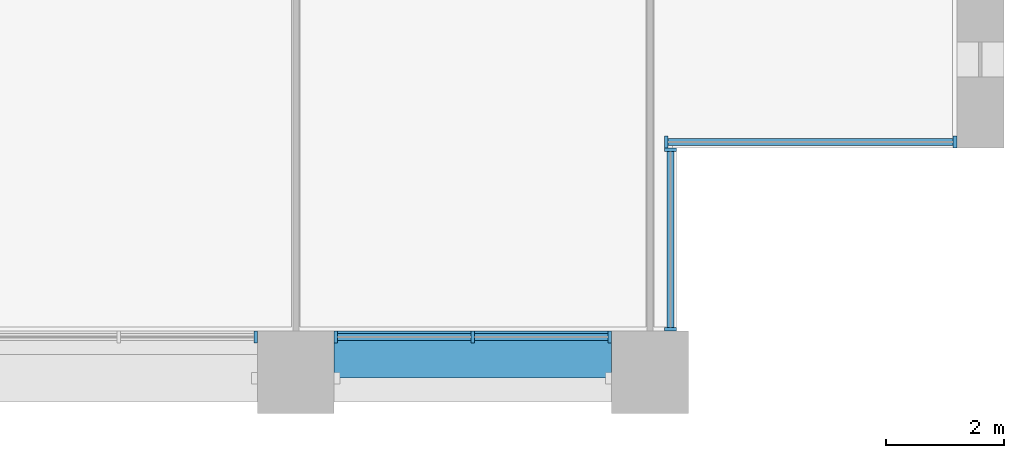
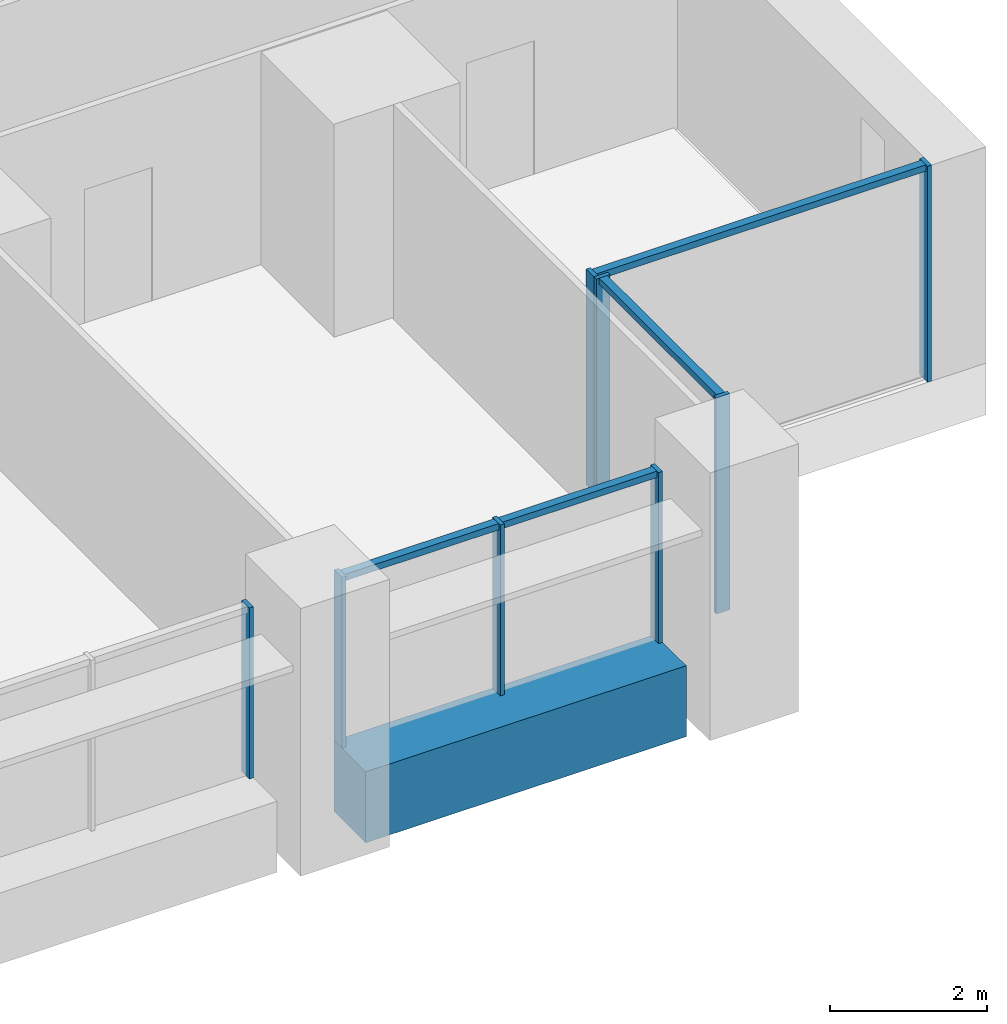
# One storey, part 5 of 18: 12 members, 1 beam, 4 elements without a shape of their own.
"""IFC4 building model written with IfcOpenShell, lengths in metres."""

from ifc_helpers import new_model, si_unit, direction, frame, origin, origin_2d, place, context, subcontext, project, spatial, rectangle, extrude, material, material_profile, profile_set, type_object, element, aggregate, save


model = new_model("IFC4")

# Units and contexts
model_context = context("Model", 3, precision=1e-05, world=origin(), true_north=direction((0.0, 1.0)))
body_context = subcontext(model_context, "Body", "Model", "MODEL_VIEW")
ifc_project = project(units=[si_unit("LENGTHUNIT", "METRE"), si_unit("AREAUNIT", "SQUARE_METRE"), si_unit("VOLUMEUNIT", "CUBIC_METRE"), si_unit("PLANEANGLEUNIT", "RADIAN"), si_unit("MASSUNIT", "GRAM", prefix="KILO")], contexts=[model_context])

# Site, building, storey
site_placement = place(None, origin())
site = spatial("IfcSite", under=ifc_project, at=site_placement, CompositionType="ELEMENT")
building_placement = place(site_placement, origin())
building = spatial("IfcBuilding", under=site, at=building_placement, Name="Calvaro Tower", CompositionType="ELEMENT")
storey_placement = place(building_placement, frame((0.0, 0.0, 22.5)))
storey = spatial("IfcBuildingStorey", under=building, at=storey_placement, Name="L04", CompositionType="ELEMENT", Elevation=22.5)

# Curtain wall, member
ifc_material_1 = material(Name="Anodised aluminium", Category="aluminium")
curtain_wall_type = type_object("IfcCurtainWallType", Name="Office curtain wall, lower zone", PredefinedType="NOTDEFINED", material=ifc_material_1)
curtain_wall_1_placement = place(storey_placement, origin())
curtain_wall_1 = element("IfcCurtainWall", 1, at=curtain_wall_1_placement, inside=storey, type_object=curtain_wall_type, Name="CW1 south curtain wall", PredefinedType="NOTDEFINED")
ifc_material_2 = material(Name="Anodised aluminium", Category="aluminium")
ifc_material_profile_1 = material_profile(ifc_material_2, rectangle(XDim=0.199951171875, YDim=0.06005859375, at=origin_2d()), Name="Mullion S1 60 x 200")
ifc_profile_set_1 = profile_set([ifc_material_profile_1], Name="Anodised aluminium")
member_type_1 = type_object("IfcMemberType", Name="Mullion S1 60 x 200", PredefinedType="MULLION", material=ifc_profile_set_1)
member_1_placement = place(storey_placement, frame((65.320068359375, 1.300048828125, 0.0), z_axis=(0.0, 0.0, 1.0), x_axis=(0.0, 1.0, 0.0)))
member_1 = element("IfcMember", 2, at=member_1_placement, type_object=member_type_1, Name="CW1 mullion 3", PredefinedType="MULLION", context=body_context, shape_type="SweptSolid", body=[
    extrude(rectangle(XDim=0.199951171875, YDim=0.06005859375, at=origin_2d()), origin(), (0.0, 0.0, 1.0), 2.64990234375),
])
aggregate(curtain_wall_1, [member_1])

# Curtain wall, members
curtain_wall_2_placement = place(storey_placement, origin())
curtain_wall_2 = element("IfcCurtainWall", 3, at=curtain_wall_2_placement, inside=storey, type_object=curtain_wall_type, Name="CW1 south curtain wall", PredefinedType="NOTDEFINED")
member_2_placement = place(storey_placement, frame((66.679931640625, 1.300048828125, 0.0), z_axis=(0.0, 0.0, 1.0), x_axis=(0.0, 1.0, 0.0)))
member_2 = element("IfcMember", 4, at=member_2_placement, type_object=member_type_1, Name="CW1 mullion 1", PredefinedType="MULLION", context=body_context, shape_type="SweptSolid", body=[
    extrude(rectangle(XDim=0.199951171875, YDim=0.06005859375, at=origin_2d()), origin(), (0.0, 0.0, 1.0), 2.64990234375),
])
member_3_placement = place(storey_placement, frame((69.0, 1.300048828125, 0.0), z_axis=(0.0, 0.0, 1.0), x_axis=(0.0, 1.0, 0.0)))
member_3 = element("IfcMember", 5, at=member_3_placement, type_object=member_type_1, Name="CW1 mullion 2", PredefinedType="MULLION", context=body_context, shape_type="SweptSolid", body=[
    extrude(rectangle(XDim=0.199951171875, YDim=0.06005859375, at=origin_2d()), origin(), (0.0, 0.0, 1.0), 2.64990234375),
])
member_4_placement = place(storey_placement, frame((71.320068359375, 1.300048828125, 0.0), z_axis=(0.0, 0.0, 1.0), x_axis=(0.0, 1.0, 0.0)))
member_4 = element("IfcMember", 6, at=member_4_placement, type_object=member_type_1, Name="CW1 mullion 3", PredefinedType="MULLION", context=body_context, shape_type="SweptSolid", body=[
    extrude(rectangle(XDim=0.199951171875, YDim=0.06005859375, at=origin_2d()), origin(), (0.0, 0.0, 1.0), 2.64990234375),
])

curtain_wall_3_placement = place(storey_placement, origin())
curtain_wall_3 = element("IfcCurtainWall", 7, at=curtain_wall_3_placement, inside=storey, type_object=curtain_wall_type, Name="CW1 corner curtain wall", PredefinedType="NOTDEFINED")
member_5_placement = place(storey_placement, frame((72.35009765625, 1.429931640625, 0.0), z_axis=(0.0, 0.0, 1.0), x_axis=(-1.0, 0.0, 0.0)))
member_5 = element("IfcMember", 8, at=member_5_placement, type_object=member_type_1, Name="CW1 mullion 1", PredefinedType="MULLION", context=body_context, shape_type="SweptSolid", body=[
    extrude(rectangle(XDim=0.199951171875, YDim=0.06005859375, at=origin_2d()), origin(), (0.0, 0.0, 1.0), 3.35009765625),
])
member_6_placement = place(storey_placement, frame((72.35009765625, 4.469970703125, 0.0), z_axis=(0.0, 0.0, 1.0), x_axis=(-1.0, 0.0, 0.0)))
member_6 = element("IfcMember", 9, at=member_6_placement, type_object=member_type_1, Name="CW1 mullion 2", PredefinedType="MULLION", context=body_context, shape_type="SweptSolid", body=[
    extrude(rectangle(XDim=0.199951171875, YDim=0.06005859375, at=origin_2d()), origin(), (0.0, 0.0, 1.0), 3.35009765625),
])

curtain_wall_4_placement = place(storey_placement, origin())
curtain_wall_4 = element("IfcCurtainWall", 10, at=curtain_wall_4_placement, inside=storey, type_object=curtain_wall_type, Name="CW1 corner curtain wall", PredefinedType="NOTDEFINED")
member_7_placement = place(storey_placement, frame((72.280029296875, 4.60009765625, 0.0), z_axis=(0.0, 0.0, 1.0), x_axis=(0.0, 1.0, 0.0)))
member_7 = element("IfcMember", 11, at=member_7_placement, type_object=member_type_1, Name="CW1 mullion 1", PredefinedType="MULLION", context=body_context, shape_type="SweptSolid", body=[
    extrude(rectangle(XDim=0.199951171875, YDim=0.06005859375, at=origin_2d()), origin(), (0.0, 0.0, 1.0), 3.35009765625),
])
member_8_placement = place(storey_placement, frame((77.169921875, 4.60009765625, 0.0), z_axis=(0.0, 0.0, 1.0), x_axis=(0.0, 1.0, 0.0)))
member_8 = element("IfcMember", 12, at=member_8_placement, type_object=member_type_1, Name="CW1 mullion 2", PredefinedType="MULLION", context=body_context, shape_type="SweptSolid", body=[
    extrude(rectangle(XDim=0.199951171875, YDim=0.06005859375, at=origin_2d()), origin(), (0.0, 0.0, 1.0), 3.35009765625),
])

# Beam
ifc_material_3 = material(Name="Concrete C50/60 precast", Category="concrete")
ifc_material_profile_2 = material_profile(ifc_material_3, rectangle(XDim=0.800048828125, YDim=1.10009765625, at=origin_2d()), Name="RC 800x1100")
ifc_profile_set_2 = profile_set([ifc_material_profile_2], Name="Concrete C50/60 precast")
beam_type = type_object("IfcBeamType", Name="Spandrel beam 800x1100 C50/60", PredefinedType="SPANDREL", material=ifc_profile_set_2)
beam_placement = place(storey_placement, frame((66.64990234375, 1.0, -0.550048828125), z_axis=(1.0, 0.0, 0.0), x_axis=(0.0, 1.0, 0.0)))
element("IfcBeam", 13, at=beam_placement, inside=storey, type_object=beam_type, Name="Spandrel beam", PredefinedType="SPANDREL", context=body_context, shape_type="SweptSolid", body=[
    extrude(rectangle(XDim=0.800048828125, YDim=1.10009765625, at=origin_2d()), origin(), (0.0, 0.0, 1.0), 4.7001953125),
])

# Member
ifc_material_4 = material(Name="Anodised aluminium", Category="aluminium")
ifc_material_profile_3 = material_profile(ifc_material_4, rectangle(XDim=0.1201171875, YDim=0.10009765625, at=origin_2d()), Name="Transom S1 100 x 120")
ifc_profile_set_3 = profile_set([ifc_material_profile_3], Name="Anodised aluminium")
member_type_2 = type_object("IfcMemberType", Name="Transom S1 100 x 120", PredefinedType="USERDEFINED", material=ifc_profile_set_3)
member_9_placement = place(storey_placement, frame((66.7099609375, 1.300048828125, 2.60009765625), z_axis=(1.0, 0.0, 0.0), x_axis=(0.0, 1.0, 0.0)))
member_9 = element("IfcMember", 14, at=member_9_placement, type_object=member_type_2, Name="CW1 transom 1.1", ObjectType="TRANSOM", PredefinedType="USERDEFINED", context=body_context, shape_type="SweptSolid", body=[
    extrude(rectangle(XDim=0.1201171875, YDim=0.10009765625, at=origin_2d()), origin(), (0.0, 0.0, 1.0), 2.260009765625),
])

member_10_placement = place(storey_placement, frame((69.030029296875, 1.300048828125, 2.60009765625), z_axis=(1.0, 0.0, 0.0), x_axis=(0.0, 1.0, 0.0)))
member_10 = element("IfcMember", 15, at=member_10_placement, type_object=member_type_2, Name="CW1 transom 2.1", ObjectType="TRANSOM", PredefinedType="USERDEFINED", context=body_context, shape_type="SweptSolid", body=[
    extrude(rectangle(XDim=0.1201171875, YDim=0.10009765625, at=origin_2d()), origin(), (0.0, 0.0, 1.0), 2.260009765625),
])

aggregate(curtain_wall_2, [member_2, member_3, member_4, member_9, member_10])

member_11_placement = place(storey_placement, frame((72.35009765625, 1.4599609375, 3.300048828125), z_axis=(0.0, 1.0, 0.0), x_axis=(-1.0, 0.0, 0.0)))
member_11 = element("IfcMember", 16, at=member_11_placement, type_object=member_type_2, Name="CW1 transom 1.1", ObjectType="TRANSOM", PredefinedType="USERDEFINED", context=body_context, shape_type="SweptSolid", body=[
    extrude(rectangle(XDim=0.1201171875, YDim=0.10009765625, at=origin_2d()), origin(), (0.0, 0.0, 1.0), 2.97998046875),
])

aggregate(curtain_wall_3, [member_5, member_6, member_11])

member_12_placement = place(storey_placement, frame((72.31005859375, 4.60009765625, 3.300048828125), z_axis=(1.0, 0.0, 0.0), x_axis=(0.0, 1.0, 0.0)))
member_12 = element("IfcMember", 17, at=member_12_placement, type_object=member_type_2, Name="CW1 transom 1.1", ObjectType="TRANSOM", PredefinedType="USERDEFINED", context=body_context, shape_type="SweptSolid", body=[
    extrude(rectangle(XDim=0.1201171875, YDim=0.10009765625, at=origin_2d()), origin(), (0.0, 0.0, 1.0), 4.829833984375),
])

aggregate(curtain_wall_4, [member_7, member_8, member_12])

save(model, "model.ifc")
